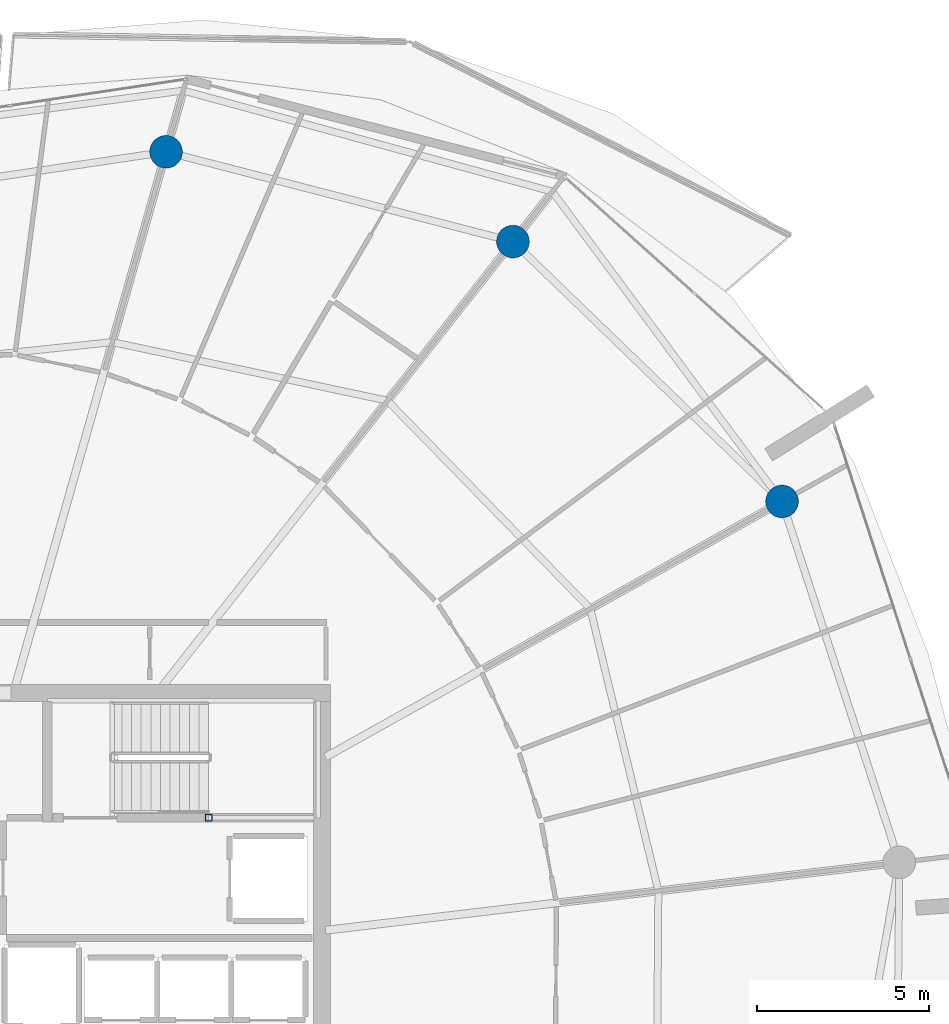
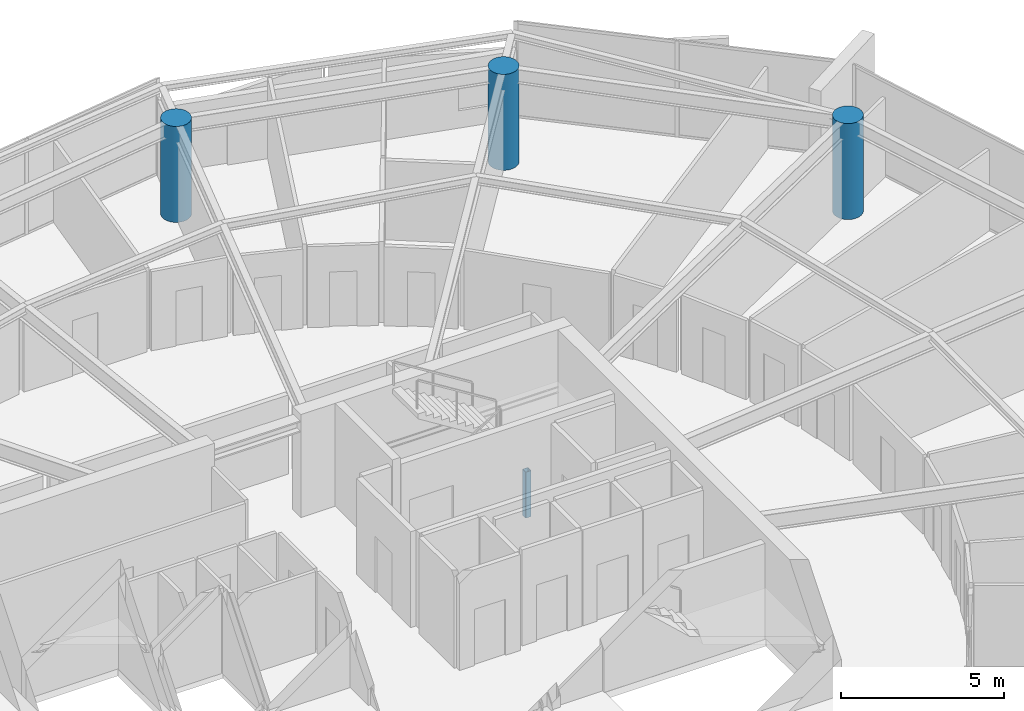
# One storey, part 5 of 30: 4 columns.
"""IFC4 building model written with IfcOpenShell, lengths in metres."""

from ifc_helpers import new_model, si_unit, direction, frame, origin, origin_2d, place, context, subcontext, project, spatial, hollow_rectangle, circle, extrude, material, material_profile, profile_set, type_object, element, save


model = new_model("IFC4")

# Units and contexts
model_context = context("Model", 3, precision=1e-05, world=origin(), true_north=direction((0.0, 1.0)))
body_context = subcontext(model_context, "Body", "Model", "MODEL_VIEW")
ifc_project = project(units=[si_unit("LENGTHUNIT", "METRE"), si_unit("AREAUNIT", "SQUARE_METRE"), si_unit("VOLUMEUNIT", "CUBIC_METRE"), si_unit("PLANEANGLEUNIT", "RADIAN"), si_unit("MASSUNIT", "GRAM", prefix="KILO")], contexts=[model_context])

# Site, building, storey
site_placement = place(None, origin())
site = spatial("IfcSite", under=ifc_project, at=site_placement, CompositionType="ELEMENT")
building_placement = place(site_placement, origin())
building = spatial("IfcBuilding", under=site, at=building_placement, Name="Kazma Halo Residences", CompositionType="ELEMENT")
storey_placement = place(building_placement, frame((0.0, 0.0, 298.300048828125)))
storey = spatial("IfcBuildingStorey", under=building, at=storey_placement, Name="L75", CompositionType="ELEMENT", Elevation=298.300048828125)

# Columns
ifc_material_1 = material(Name="Steel S355", Category="steel")
ifc_material_profile_1 = material_profile(ifc_material_1, hollow_rectangle(XDim=0.199951171875, YDim=0.199951171875, WallThickness=0.010009765625, InnerFilletRadius=0.010009765625, OuterFilletRadius=0.02001953125, at=origin_2d()), Name="SHS200x200x10")
ifc_profile_set_1 = profile_set([ifc_material_profile_1], Name="Steel S355")
column_type_1 = type_object("IfcColumnType", Name="COL-LP-SHS200", PredefinedType="COLUMN", material=ifc_profile_set_1)
column_placement = place(storey_placement, frame((56.0, 46.6201171875, 0.0), z_axis=(0.0, 0.0, 1.0), x_axis=(1.0, 0.0, 0.0)))
element("IfcColumn", 1, at=column_placement, inside=storey, type_object=column_type_1, Name="L75 ST-02 landing pilaster 1", PredefinedType="COLUMN", context=body_context, shape_type="SweptSolid", body=[
    extrude(hollow_rectangle(XDim=0.199951171875, YDim=0.199951171875, WallThickness=0.010009765625, InnerFilletRadius=0.010009765625, OuterFilletRadius=0.02001953125, at=origin_2d()), origin(), (0.0, 0.0, 1.0), 1.719970703125),
])
ifc_material_2 = material(Name="Concrete C60/75", Category="concrete")
ifc_material_profile_2 = material_profile(ifc_material_2, circle(Radius=0.47509765625, at=origin_2d()), Name="CIRC950")
ifc_profile_set_2 = profile_set([ifc_material_profile_2], Name="Concrete C60/75")
column_type_2 = type_object("IfcColumnType", Name="COL-PERIM-950", PredefinedType="COLUMN", material=ifc_profile_set_2)
for number, where, z_axis, x_axis, name in (
    (2, (72.67041015625, 55.81591796875, 0.0), (0.0, 0.0, 1.0), (1.0, 0.0, 0.0), "L75 perimeter ring column P01"),
    (3, (64.84716796875, 63.37060546875, 0.0), (0.0, 0.0, 1.0), (1.0, 0.0, 0.0), "L75 perimeter ring column P02"),
    (4, (54.762939453125, 65.9794921875, 0.0), (0.0, 0.0, 1.0), (1.0, 0.0, 0.0), "L75 perimeter ring column P03"),
):
    element("IfcColumn", number, at=place(storey_placement, frame(where, z_axis=z_axis, x_axis=x_axis)), inside=storey, type_object=column_type_2, Name=name, PredefinedType="COLUMN", context=body_context, shape_type="SweptSolid", body=[
        extrude(circle(Radius=0.47509765625, at=origin_2d()), origin(), (0.0, 0.0, 1.0), 3.58984375),
    ])

save(model, "model.ifc")
